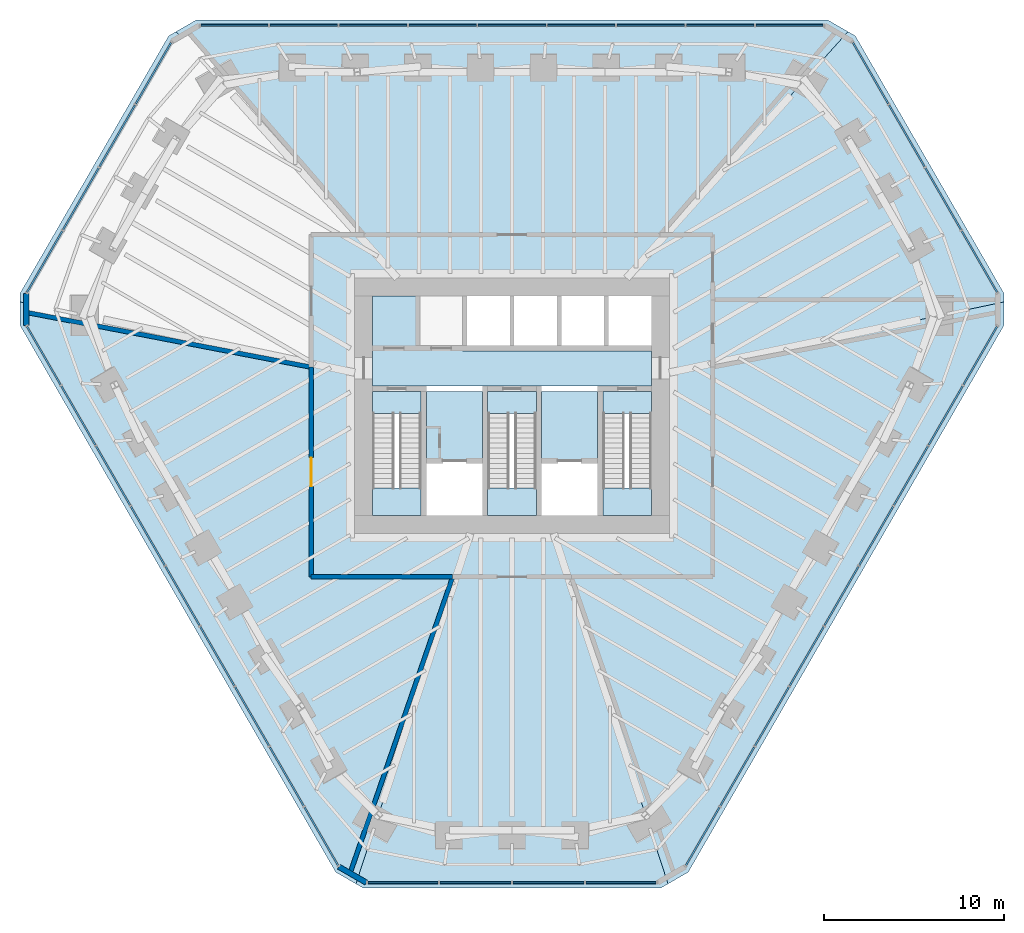
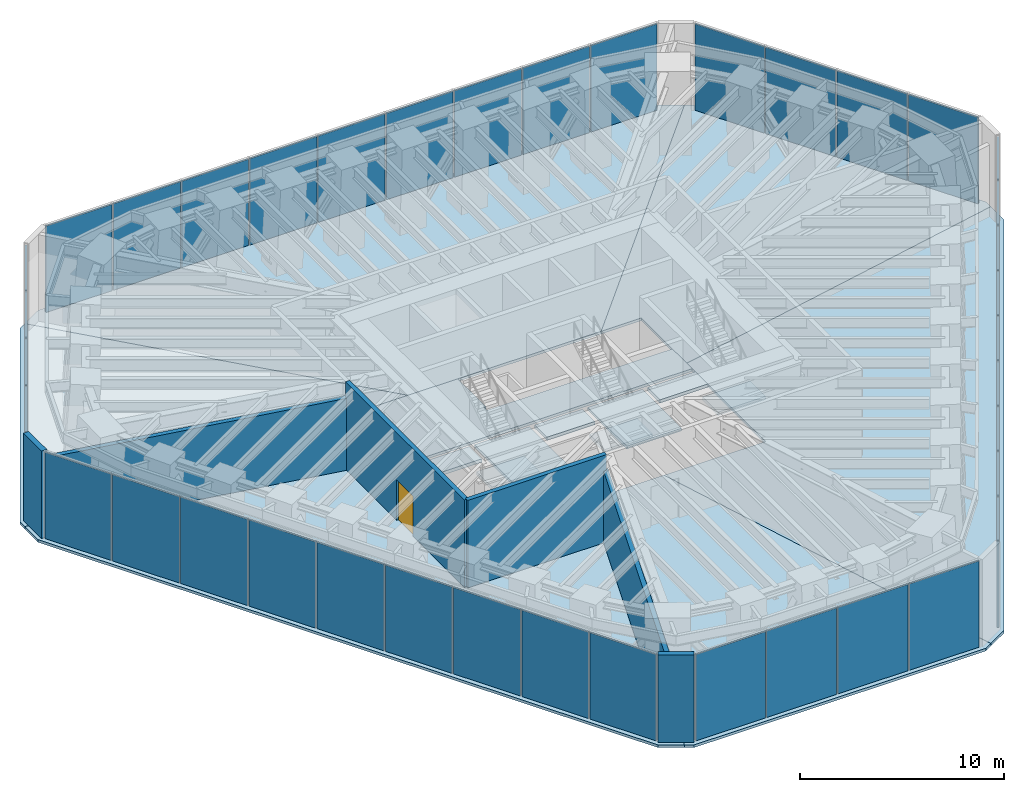
# One storey, part 10 of 13: 39 plates, 15 slabs, 6 walls, 1 door, 1 opening, 9 elements without a shape of their own.
"""IFC4 building model written with IfcOpenShell, lengths in metres."""

from ifc_helpers import new_model, si_unit, direction, frame, frame_2d, origin, origin_2d, place, context, subcontext, project, spatial, polyline, rectangle, outline, extrude, material, layer, layer_set, type_object, element, fill, aggregate, save


model = new_model("IFC4")

# Units and contexts
model_context = context("Model", 3, precision=1e-05, world=origin(), true_north=direction((0.0, 1.0)))
body_context = subcontext(model_context, "Body", "Model", "MODEL_VIEW")
ifc_project = project(units=[si_unit("LENGTHUNIT", "METRE"), si_unit("AREAUNIT", "SQUARE_METRE"), si_unit("VOLUMEUNIT", "CUBIC_METRE"), si_unit("PLANEANGLEUNIT", "RADIAN"), si_unit("MASSUNIT", "GRAM", prefix="KILO")], contexts=[model_context])

# Site, building, storey
site_placement = place(None, origin())
site = spatial("IfcSite", under=ifc_project, at=site_placement, CompositionType="ELEMENT")
building_placement = place(site_placement, origin())
building = spatial("IfcBuilding", under=site, at=building_placement, Name="Sandreach Pilgrim Tower", CompositionType="ELEMENT")
storey_placement = place(building_placement, frame((0.0, 0.0, 251.60009765625)))
storey = spatial("IfcBuildingStorey", under=building, at=storey_placement, Name="L63", CompositionType="ELEMENT", Elevation=251.60009765625)

# Curtain wall, plates
ifc_material_1 = material(Name="Aluminium framed curtain wall", Category="aluminium")
curtain_wall_type = type_object("IfcCurtainWallType", Name="Plant storey louvred curtain wall", PredefinedType="NOTDEFINED", material=ifc_material_1)
curtain_wall_1_placement = place(storey_placement, origin())
curtain_wall_1 = element("IfcCurtainWall", 1, at=curtain_wall_1_placement, inside=storey, type_object=curtain_wall_type, Name="CW-L L63 N", PredefinedType="NOTDEFINED")
ifc_material_2 = material(Name="Aluminium weather louvre blades 100 deep", Category="aluminium")
ifc_layer_1 = layer(ifc_material_2, 0.10009765625)
ifc_layer_set_1 = layer_set([ifc_layer_1], Name="CW-L panel")
plate_type = type_object("IfcPlateType", Name="CW-L panel", PredefinedType="CURTAIN_PANEL", material=ifc_layer_set_1)
plate_1_placement = place(storey_placement, frame((-15.437744140625, 21.16015625, 0.0), z_axis=(0.0, 0.0, 1.0), x_axis=(1.0, 0.0, 0.0)))
plate_1 = element("IfcPlate", 2, at=plate_1_placement, type_object=plate_type, Name="CW-L panel 1", PredefinedType="CURTAIN_PANEL", context=body_context, shape_type="SweptSolid", body=[
    extrude(rectangle(XDim=3.744384765625, YDim=0.10009765625, at=origin_2d()), origin(), (0.0, 0.0, 1.0), 5.169921875),
])
plate_2_placement = place(storey_placement, frame((-11.59326171875, 21.16015625, 0.0), z_axis=(0.0, 0.0, 1.0), x_axis=(1.0, 0.0, 0.0)))
plate_2 = element("IfcPlate", 3, at=plate_2_placement, type_object=plate_type, Name="CW-L panel 2", PredefinedType="CURTAIN_PANEL", context=body_context, shape_type="SweptSolid", body=[
    extrude(rectangle(XDim=3.784423828125, YDim=0.10009765625, at=origin_2d()), origin(), (0.0, 0.0, 1.0), 5.169921875),
])
plate_3_placement = place(storey_placement, frame((-7.728759765625, 21.16015625, 0.0), z_axis=(0.0, 0.0, 1.0), x_axis=(1.0, 0.0, 0.0)))
plate_3 = element("IfcPlate", 4, at=plate_3_placement, type_object=plate_type, Name="CW-L panel 3", PredefinedType="CURTAIN_PANEL", context=body_context, shape_type="SweptSolid", body=[
    extrude(rectangle(XDim=3.784423828125, YDim=0.10009765625, at=origin_2d()), origin(), (0.0, 0.0, 1.0), 5.169921875),
])
plate_4_placement = place(storey_placement, frame((-3.864501953125, 21.16015625, 0.0), z_axis=(0.0, 0.0, 1.0), x_axis=(1.0, 0.0, 0.0)))
plate_4 = element("IfcPlate", 5, at=plate_4_placement, type_object=plate_type, Name="CW-L panel 4", PredefinedType="CURTAIN_PANEL", context=body_context, shape_type="SweptSolid", body=[
    extrude(rectangle(XDim=3.784423828125, YDim=0.10009765625, at=origin_2d()), origin(), (0.0, 0.0, 1.0), 5.169921875),
])
plate_5_placement = place(storey_placement, frame((0.0, 21.16015625, 0.0), z_axis=(0.0, 0.0, 1.0), x_axis=(1.0, 0.0, 0.0)))
plate_5 = element("IfcPlate", 6, at=plate_5_placement, type_object=plate_type, Name="CW-L panel 5", PredefinedType="CURTAIN_PANEL", context=body_context, shape_type="SweptSolid", body=[
    extrude(rectangle(XDim=3.784423828125, YDim=0.10009765625, at=origin_2d()), origin(), (0.0, 0.0, 1.0), 5.169921875),
])
plate_6_placement = place(storey_placement, frame((3.864501953125, 21.16015625, 0.0), z_axis=(0.0, 0.0, 1.0), x_axis=(1.0, 0.0, 0.0)))
plate_6 = element("IfcPlate", 7, at=plate_6_placement, type_object=plate_type, Name="CW-L panel 6", PredefinedType="CURTAIN_PANEL", context=body_context, shape_type="SweptSolid", body=[
    extrude(rectangle(XDim=3.784423828125, YDim=0.10009765625, at=origin_2d()), origin(), (0.0, 0.0, 1.0), 5.169921875),
])
plate_7_placement = place(storey_placement, frame((7.728759765625, 21.16015625, 0.0), z_axis=(0.0, 0.0, 1.0), x_axis=(1.0, 0.0, 0.0)))
plate_7 = element("IfcPlate", 8, at=plate_7_placement, type_object=plate_type, Name="CW-L panel 7", PredefinedType="CURTAIN_PANEL", context=body_context, shape_type="SweptSolid", body=[
    extrude(rectangle(XDim=3.784423828125, YDim=0.10009765625, at=origin_2d()), origin(), (0.0, 0.0, 1.0), 5.169921875),
])
plate_8_placement = place(storey_placement, frame((11.59326171875, 21.16015625, 0.0), z_axis=(0.0, 0.0, 1.0), x_axis=(1.0, 0.0, 0.0)))
plate_8 = element("IfcPlate", 9, at=plate_8_placement, type_object=plate_type, Name="CW-L panel 8", PredefinedType="CURTAIN_PANEL", context=body_context, shape_type="SweptSolid", body=[
    extrude(rectangle(XDim=3.784423828125, YDim=0.10009765625, at=origin_2d()), origin(), (0.0, 0.0, 1.0), 5.169921875),
])
plate_9_placement = place(storey_placement, frame((15.437744140625, 21.16015625, 0.0), z_axis=(0.0, 0.0, 1.0), x_axis=(1.0, 0.0, 0.0)))
plate_9 = element("IfcPlate", 10, at=plate_9_placement, type_object=plate_type, Name="CW-L panel 9", PredefinedType="CURTAIN_PANEL", context=body_context, shape_type="SweptSolid", body=[
    extrude(rectangle(XDim=3.744384765625, YDim=0.10009765625, at=origin_2d()), origin(), (0.0, 0.0, 1.0), 5.169921875),
])
aggregate(curtain_wall_1, [plate_1, plate_2, plate_3, plate_4, plate_5, plate_6, plate_7, plate_8, plate_9])

curtain_wall_2_placement = place(storey_placement, origin())
curtain_wall_2 = element("IfcCurtainWall", 11, at=curtain_wall_2_placement, inside=storey, type_object=curtain_wall_type, Name="CW-L L63 NE", PredefinedType="NOTDEFINED")
plate_10_placement = place(storey_placement, frame((19.94482421875, 18.504638671875, 0.0), z_axis=(0.0, 0.0, 1.0), x_axis=(0.5, -0.866025403784, 0.0)))
plate_10 = element("IfcPlate", 12, at=plate_10_placement, type_object=plate_type, Name="CW-L panel 1", PredefinedType="CURTAIN_PANEL", context=body_context, shape_type="SweptSolid", body=[
    extrude(rectangle(XDim=3.9287109375, YDim=0.10009765625, at=origin_2d()), origin(), (0.0, 0.0, 1.0), 5.169921875),
])
plate_11_placement = place(storey_placement, frame((21.959228515625, 15.015625, 0.0), z_axis=(0.0, 0.0, 1.0), x_axis=(0.5, -0.866025403784, 0.0)))
plate_11 = element("IfcPlate", 13, at=plate_11_placement, type_object=plate_type, Name="CW-L panel 2", PredefinedType="CURTAIN_PANEL", context=body_context, shape_type="SweptSolid", body=[
    extrude(rectangle(XDim=3.96875, YDim=0.10009765625, at=origin_2d()), origin(), (0.0, 0.0, 1.0), 5.169921875),
])
plate_12_placement = place(storey_placement, frame((23.983642578125, 11.509521484375, 0.0), z_axis=(0.0, 0.0, 1.0), x_axis=(0.5, -0.866025403784, 0.0)))
plate_12 = element("IfcPlate", 14, at=plate_12_placement, type_object=plate_type, Name="CW-L panel 3", PredefinedType="CURTAIN_PANEL", context=body_context, shape_type="SweptSolid", body=[
    extrude(rectangle(XDim=3.96875, YDim=0.10009765625, at=origin_2d()), origin(), (0.0, 0.0, 1.0), 5.169921875),
])
plate_13_placement = place(storey_placement, frame((25.998046875, 8.0205078125, 0.0), z_axis=(0.0, 0.0, 1.0), x_axis=(0.5, -0.866025403784, 0.0)))
plate_13 = element("IfcPlate", 15, at=plate_13_placement, type_object=plate_type, Name="CW-L panel 4", PredefinedType="CURTAIN_PANEL", context=body_context, shape_type="SweptSolid", body=[
    extrude(rectangle(XDim=3.9287109375, YDim=0.10009765625, at=origin_2d()), origin(), (0.0, 0.0, 1.0), 5.169921875),
])
aggregate(curtain_wall_2, [plate_10, plate_11, plate_12, plate_13])

curtain_wall_3_placement = place(storey_placement, origin())
curtain_wall_3 = element("IfcCurtainWall", 16, at=curtain_wall_3_placement, inside=storey, type_object=curtain_wall_type, Name="CW-L L63 SE", PredefinedType="NOTDEFINED")
plate_14_placement = place(storey_placement, frame((26.0439453125, 2.789306640625, 0.0), z_axis=(0.0, 0.0, 1.0), x_axis=(-0.5, -0.866025403784, 0.0)))
plate_14 = element("IfcPlate", 17, at=plate_14_placement, type_object=plate_type, Name="CW-L panel 1", PredefinedType="CURTAIN_PANEL", context=body_context, shape_type="SweptSolid", body=[
    extrude(rectangle(XDim=3.744384765625, YDim=0.10009765625, at=origin_2d()), origin(), (0.0, 0.0, 1.0), 5.169921875),
])
plate_15_placement = place(storey_placement, frame((24.121826171875, -0.5400390625, 0.0), z_axis=(0.0, 0.0, 1.0), x_axis=(-0.5, -0.866025403784, 0.0)))
plate_15 = element("IfcPlate", 18, at=plate_15_placement, type_object=plate_type, Name="CW-L panel 2", PredefinedType="CURTAIN_PANEL", context=body_context, shape_type="SweptSolid", body=[
    extrude(rectangle(XDim=3.784423828125, YDim=0.10009765625, at=origin_2d()), origin(), (0.0, 0.0, 1.0), 5.169921875),
])
plate_16_placement = place(storey_placement, frame((22.189697265625, -3.88671875, 0.0), z_axis=(0.0, 0.0, 1.0), x_axis=(-0.5, -0.866025403784, 0.0)))
plate_16 = element("IfcPlate", 19, at=plate_16_placement, type_object=plate_type, Name="CW-L panel 3", PredefinedType="CURTAIN_PANEL", context=body_context, shape_type="SweptSolid", body=[
    extrude(rectangle(XDim=3.784423828125, YDim=0.10009765625, at=origin_2d()), origin(), (0.0, 0.0, 1.0), 5.169921875),
])
plate_17_placement = place(storey_placement, frame((20.25732421875, -7.2333984375, 0.0), z_axis=(0.0, 0.0, 1.0), x_axis=(-0.5, -0.866025403784, 0.0)))
plate_17 = element("IfcPlate", 20, at=plate_17_placement, type_object=plate_type, Name="CW-L panel 4", PredefinedType="CURTAIN_PANEL", context=body_context, shape_type="SweptSolid", body=[
    extrude(rectangle(XDim=3.784423828125, YDim=0.10009765625, at=origin_2d()), origin(), (0.0, 0.0, 1.0), 5.169921875),
])
plate_18_placement = place(storey_placement, frame((18.3251953125, -10.580078125, 0.0), z_axis=(0.0, 0.0, 1.0), x_axis=(-0.5, -0.866025403784, 0.0)))
plate_18 = element("IfcPlate", 21, at=plate_18_placement, type_object=plate_type, Name="CW-L panel 5", PredefinedType="CURTAIN_PANEL", context=body_context, shape_type="SweptSolid", body=[
    extrude(rectangle(XDim=3.784423828125, YDim=0.10009765625, at=origin_2d()), origin(), (0.0, 0.0, 1.0), 5.169921875),
])
plate_19_placement = place(storey_placement, frame((16.39306640625, -13.9267578125, 0.0), z_axis=(0.0, 0.0, 1.0), x_axis=(-0.5, -0.866025403784, 0.0)))
plate_19 = element("IfcPlate", 22, at=plate_19_placement, type_object=plate_type, Name="CW-L panel 6", PredefinedType="CURTAIN_PANEL", context=body_context, shape_type="SweptSolid", body=[
    extrude(rectangle(XDim=3.784423828125, YDim=0.10009765625, at=origin_2d()), origin(), (0.0, 0.0, 1.0), 5.169921875),
])
plate_20_placement = place(storey_placement, frame((14.460693359375, -17.2734375, 0.0), z_axis=(0.0, 0.0, 1.0), x_axis=(-0.5, -0.866025403784, 0.0)))
plate_20 = element("IfcPlate", 23, at=plate_20_placement, type_object=plate_type, Name="CW-L panel 7", PredefinedType="CURTAIN_PANEL", context=body_context, shape_type="SweptSolid", body=[
    extrude(rectangle(XDim=3.784423828125, YDim=0.10009765625, at=origin_2d()), origin(), (0.0, 0.0, 1.0), 5.169921875),
])
plate_21_placement = place(storey_placement, frame((12.528564453125, -20.6201171875, 0.0), z_axis=(0.0, 0.0, 1.0), x_axis=(-0.5, -0.866025403784, 0.0)))
plate_21 = element("IfcPlate", 24, at=plate_21_placement, type_object=plate_type, Name="CW-L panel 8", PredefinedType="CURTAIN_PANEL", context=body_context, shape_type="SweptSolid", body=[
    extrude(rectangle(XDim=3.784423828125, YDim=0.10009765625, at=origin_2d()), origin(), (0.0, 0.0, 1.0), 5.169921875),
])
plate_22_placement = place(storey_placement, frame((10.6064453125, -23.949462890625, 0.0), z_axis=(0.0, 0.0, 1.0), x_axis=(-0.5, -0.866025403784, 0.0)))
plate_22 = element("IfcPlate", 25, at=plate_22_placement, type_object=plate_type, Name="CW-L panel 9", PredefinedType="CURTAIN_PANEL", context=body_context, shape_type="SweptSolid", body=[
    extrude(rectangle(XDim=3.744384765625, YDim=0.10009765625, at=origin_2d()), origin(), (0.0, 0.0, 1.0), 5.169921875),
])
aggregate(curtain_wall_3, [plate_14, plate_15, plate_16, plate_17, plate_18, plate_19, plate_20, plate_21, plate_22])

curtain_wall_4_placement = place(storey_placement, origin())
curtain_wall_4 = element("IfcCurtainWall", 26, at=curtain_wall_4_placement, inside=storey, type_object=curtain_wall_type, Name="CW-L L63 S", PredefinedType="NOTDEFINED")
plate_23_placement = place(storey_placement, frame((6.052978515625, -26.525146484375, 0.0), z_axis=(0.0, 0.0, 1.0), x_axis=(-1.0, 0.0, 0.0)))
plate_23 = element("IfcPlate", 27, at=plate_23_placement, type_object=plate_type, Name="CW-L panel 1", PredefinedType="CURTAIN_PANEL", context=body_context, shape_type="SweptSolid", body=[
    extrude(rectangle(XDim=3.9287109375, YDim=0.10009765625, at=origin_2d()), origin(), (0.0, 0.0, 1.0), 5.169921875),
])
plate_24_placement = place(storey_placement, frame((2.0244140625, -26.525146484375, 0.0), z_axis=(0.0, 0.0, 1.0), x_axis=(-1.0, 0.0, 0.0)))
plate_24 = element("IfcPlate", 28, at=plate_24_placement, type_object=plate_type, Name="CW-L panel 2", PredefinedType="CURTAIN_PANEL", context=body_context, shape_type="SweptSolid", body=[
    extrude(rectangle(XDim=3.96875, YDim=0.10009765625, at=origin_2d()), origin(), (0.0, 0.0, 1.0), 5.169921875),
])
plate_25_placement = place(storey_placement, frame((-2.0244140625, -26.525146484375, 0.0), z_axis=(0.0, 0.0, 1.0), x_axis=(-1.0, 0.0, 0.0)))
plate_25 = element("IfcPlate", 29, at=plate_25_placement, type_object=plate_type, Name="CW-L panel 3", PredefinedType="CURTAIN_PANEL", context=body_context, shape_type="SweptSolid", body=[
    extrude(rectangle(XDim=3.96875, YDim=0.10009765625, at=origin_2d()), origin(), (0.0, 0.0, 1.0), 5.169921875),
])
plate_26_placement = place(storey_placement, frame((-6.052978515625, -26.525146484375, 0.0), z_axis=(0.0, 0.0, 1.0), x_axis=(-1.0, 0.0, 0.0)))
plate_26 = element("IfcPlate", 30, at=plate_26_placement, type_object=plate_type, Name="CW-L panel 4", PredefinedType="CURTAIN_PANEL", context=body_context, shape_type="SweptSolid", body=[
    extrude(rectangle(XDim=3.9287109375, YDim=0.10009765625, at=origin_2d()), origin(), (0.0, 0.0, 1.0), 5.169921875),
])
aggregate(curtain_wall_4, [plate_23, plate_24, plate_25, plate_26])

curtain_wall_5_placement = place(storey_placement, origin())
curtain_wall_5 = element("IfcCurtainWall", 31, at=curtain_wall_5_placement, inside=storey, type_object=curtain_wall_type, Name="CW-L L63 SW", PredefinedType="NOTDEFINED")
plate_27_placement = place(storey_placement, frame((-10.6064453125, -23.949462890625, 0.0), z_axis=(0.0, 0.0, 1.0), x_axis=(-0.5, 0.866025403784, 0.0)))
plate_27 = element("IfcPlate", 32, at=plate_27_placement, type_object=plate_type, Name="CW-L panel 1", PredefinedType="CURTAIN_PANEL", context=body_context, shape_type="SweptSolid", body=[
    extrude(rectangle(XDim=3.744384765625, YDim=0.10009765625, at=origin_2d()), origin(), (0.0, 0.0, 1.0), 5.169921875),
])
plate_28_placement = place(storey_placement, frame((-12.528564453125, -20.6201171875, 0.0), z_axis=(0.0, 0.0, 1.0), x_axis=(-0.5, 0.866025403784, 0.0)))
plate_28 = element("IfcPlate", 33, at=plate_28_placement, type_object=plate_type, Name="CW-L panel 2", PredefinedType="CURTAIN_PANEL", context=body_context, shape_type="SweptSolid", body=[
    extrude(rectangle(XDim=3.784423828125, YDim=0.10009765625, at=origin_2d()), origin(), (0.0, 0.0, 1.0), 5.169921875),
])
plate_29_placement = place(storey_placement, frame((-14.460693359375, -17.2734375, 0.0), z_axis=(0.0, 0.0, 1.0), x_axis=(-0.5, 0.866025403784, 0.0)))
plate_29 = element("IfcPlate", 34, at=plate_29_placement, type_object=plate_type, Name="CW-L panel 3", PredefinedType="CURTAIN_PANEL", context=body_context, shape_type="SweptSolid", body=[
    extrude(rectangle(XDim=3.784423828125, YDim=0.10009765625, at=origin_2d()), origin(), (0.0, 0.0, 1.0), 5.169921875),
])
plate_30_placement = place(storey_placement, frame((-16.39306640625, -13.9267578125, 0.0), z_axis=(0.0, 0.0, 1.0), x_axis=(-0.5, 0.866025403784, 0.0)))
plate_30 = element("IfcPlate", 35, at=plate_30_placement, type_object=plate_type, Name="CW-L panel 4", PredefinedType="CURTAIN_PANEL", context=body_context, shape_type="SweptSolid", body=[
    extrude(rectangle(XDim=3.784423828125, YDim=0.10009765625, at=origin_2d()), origin(), (0.0, 0.0, 1.0), 5.169921875),
])
plate_31_placement = place(storey_placement, frame((-18.3251953125, -10.580078125, 0.0), z_axis=(0.0, 0.0, 1.0), x_axis=(-0.5, 0.866025403784, 0.0)))
plate_31 = element("IfcPlate", 36, at=plate_31_placement, type_object=plate_type, Name="CW-L panel 5", PredefinedType="CURTAIN_PANEL", context=body_context, shape_type="SweptSolid", body=[
    extrude(rectangle(XDim=3.784423828125, YDim=0.10009765625, at=origin_2d()), origin(), (0.0, 0.0, 1.0), 5.169921875),
])
plate_32_placement = place(storey_placement, frame((-20.25732421875, -7.2333984375, 0.0), z_axis=(0.0, 0.0, 1.0), x_axis=(-0.5, 0.866025403784, 0.0)))
plate_32 = element("IfcPlate", 37, at=plate_32_placement, type_object=plate_type, Name="CW-L panel 6", PredefinedType="CURTAIN_PANEL", context=body_context, shape_type="SweptSolid", body=[
    extrude(rectangle(XDim=3.784423828125, YDim=0.10009765625, at=origin_2d()), origin(), (0.0, 0.0, 1.0), 5.169921875),
])
plate_33_placement = place(storey_placement, frame((-22.189697265625, -3.88671875, 0.0), z_axis=(0.0, 0.0, 1.0), x_axis=(-0.5, 0.866025403784, 0.0)))
plate_33 = element("IfcPlate", 38, at=plate_33_placement, type_object=plate_type, Name="CW-L panel 7", PredefinedType="CURTAIN_PANEL", context=body_context, shape_type="SweptSolid", body=[
    extrude(rectangle(XDim=3.784423828125, YDim=0.10009765625, at=origin_2d()), origin(), (0.0, 0.0, 1.0), 5.169921875),
])
plate_34_placement = place(storey_placement, frame((-24.121826171875, -0.5400390625, 0.0), z_axis=(0.0, 0.0, 1.0), x_axis=(-0.5, 0.866025403784, 0.0)))
plate_34 = element("IfcPlate", 39, at=plate_34_placement, type_object=plate_type, Name="CW-L panel 8", PredefinedType="CURTAIN_PANEL", context=body_context, shape_type="SweptSolid", body=[
    extrude(rectangle(XDim=3.784423828125, YDim=0.10009765625, at=origin_2d()), origin(), (0.0, 0.0, 1.0), 5.169921875),
])
plate_35_placement = place(storey_placement, frame((-26.0439453125, 2.789306640625, 0.0), z_axis=(0.0, 0.0, 1.0), x_axis=(-0.5, 0.866025403784, 0.0)))
plate_35 = element("IfcPlate", 40, at=plate_35_placement, type_object=plate_type, Name="CW-L panel 9", PredefinedType="CURTAIN_PANEL", context=body_context, shape_type="SweptSolid", body=[
    extrude(rectangle(XDim=3.744384765625, YDim=0.10009765625, at=origin_2d()), origin(), (0.0, 0.0, 1.0), 5.169921875),
])
aggregate(curtain_wall_5, [plate_27, plate_28, plate_29, plate_30, plate_31, plate_32, plate_33, plate_34, plate_35])

curtain_wall_6_placement = place(storey_placement, origin())
curtain_wall_6 = element("IfcCurtainWall", 41, at=curtain_wall_6_placement, inside=storey, type_object=curtain_wall_type, Name="CW-L L63 NW", PredefinedType="NOTDEFINED")
plate_36_placement = place(storey_placement, frame((-25.998046875, 8.0205078125, 0.0), z_axis=(0.0, 0.0, 1.0), x_axis=(0.5, 0.866025403784, 0.0)))
plate_36 = element("IfcPlate", 42, at=plate_36_placement, type_object=plate_type, Name="CW-L panel 1", PredefinedType="CURTAIN_PANEL", context=body_context, shape_type="SweptSolid", body=[
    extrude(rectangle(XDim=3.9287109375, YDim=0.10009765625, at=origin_2d()), origin(), (0.0, 0.0, 1.0), 5.169921875),
])
plate_37_placement = place(storey_placement, frame((-23.983642578125, 11.509521484375, 0.0), z_axis=(0.0, 0.0, 1.0), x_axis=(0.5, 0.866025403784, 0.0)))
plate_37 = element("IfcPlate", 43, at=plate_37_placement, type_object=plate_type, Name="CW-L panel 2", PredefinedType="CURTAIN_PANEL", context=body_context, shape_type="SweptSolid", body=[
    extrude(rectangle(XDim=3.96875, YDim=0.10009765625, at=origin_2d()), origin(), (0.0, 0.0, 1.0), 5.169921875),
])
plate_38_placement = place(storey_placement, frame((-21.959228515625, 15.015625, 0.0), z_axis=(0.0, 0.0, 1.0), x_axis=(0.5, 0.866025403784, 0.0)))
plate_38 = element("IfcPlate", 44, at=plate_38_placement, type_object=plate_type, Name="CW-L panel 3", PredefinedType="CURTAIN_PANEL", context=body_context, shape_type="SweptSolid", body=[
    extrude(rectangle(XDim=3.96875, YDim=0.10009765625, at=origin_2d()), origin(), (0.0, 0.0, 1.0), 5.169921875),
])
plate_39_placement = place(storey_placement, frame((-19.94482421875, 18.504638671875, 0.0), z_axis=(0.0, 0.0, 1.0), x_axis=(0.5, 0.866025403784, 0.0)))
plate_39 = element("IfcPlate", 45, at=plate_39_placement, type_object=plate_type, Name="CW-L panel 4", PredefinedType="CURTAIN_PANEL", context=body_context, shape_type="SweptSolid", body=[
    extrude(rectangle(XDim=3.9287109375, YDim=0.10009765625, at=origin_2d()), origin(), (0.0, 0.0, 1.0), 5.169921875),
])
aggregate(curtain_wall_6, [plate_36, plate_37, plate_38, plate_39])

# Slabs
ifc_material_3 = material(Name="Concrete 8000 psi", Category="concrete")
ifc_layer_2 = layer(ifc_material_3, 0.159912109375)
ifc_layer_set_2 = layer_set([ifc_layer_2], Name="Composite floor slab 160")
slab_type_1 = type_object("IfcSlabType", Name="Composite floor slab 160", PredefinedType="FLOOR", material=ifc_layer_set_2)
slab_1_placement = place(storey_placement, frame((0.0, 0.0, -0.16015625)))
element("IfcSlab", 46, at=slab_1_placement, inside=storey, type_object=slab_type_1, Name="Floor slab L63 N sector", PredefinedType="FLOOR", context=body_context, shape_type="SweptSolid", body=[
    extrude(outline(polyline([(-17.56298828125, 21.460205078125), (17.56298828125, 21.460205078125), (18.68701171875, 20.81103515625), (5.477294921875, 6.10009765625), (-5.477294921875, 6.10009765625), (-18.68701171875, 20.81103515625), (-17.56298828125, 21.460205078125)])), origin(), (0.0, 0.0, 1.0), 0.16015625),
])
slab_2_placement = place(storey_placement, frame((0.0, 0.0, -0.16015625)))
element("IfcSlab", 47, at=slab_2_placement, inside=storey, type_object=slab_type_1, Name="Floor slab L63 NE sector", PredefinedType="FLOOR", context=body_context, shape_type="SweptSolid", body=[
    extrude(outline(polyline([(19.095947265625, 20.5751953125), (27.366455078125, 6.25), (27.366455078125, 5.778076171875), (7.75, 1.63623046875), (7.75, 6.10009765625), (5.477294921875, 6.10009765625), (18.68701171875, 20.81103515625), (19.095947265625, 20.5751953125)])), origin(), (0.0, 0.0, 1.0), 0.16015625),
])
slab_3_placement = place(storey_placement, frame((0.0, 0.0, -0.16015625)))
element("IfcSlab", 48, at=slab_3_placement, inside=storey, type_object=slab_type_1, Name="Floor slab L63 SE sector", PredefinedType="FLOOR", context=body_context, shape_type="SweptSolid", body=[
    extrude(outline(polyline([(27.366455078125, 4.47998046875), (9.803466796875, -25.940185546875), (8.679443359375, -26.589111328125), (1.9912109375, -6.10009765625), (7.75, -6.10009765625), (7.75, 1.63623046875), (27.366455078125, 5.778076171875), (27.366455078125, 4.47998046875)])), origin(), (0.0, 0.0, 1.0), 0.16015625),
])
slab_4_placement = place(storey_placement, frame((0.0, 0.0, -0.16015625)))
element("IfcSlab", 49, at=slab_4_placement, inside=storey, type_object=slab_type_1, Name="Floor slab L63 S sector", PredefinedType="FLOOR", context=body_context, shape_type="SweptSolid", body=[
    extrude(outline(polyline([(8.2705078125, -26.8251953125), (-8.2705078125, -26.8251953125), (-8.679443359375, -26.589111328125), (-1.9912109375, -6.10009765625), (1.9912109375, -6.10009765625), (8.679443359375, -26.589111328125), (8.2705078125, -26.8251953125)])), origin(), (0.0, 0.0, 1.0), 0.16015625),
])
slab_5_placement = place(storey_placement, frame((0.0, 0.0, -0.16015625)))
element("IfcSlab", 50, at=slab_5_placement, inside=storey, type_object=slab_type_1, Name="Floor slab L63 SW sector", PredefinedType="FLOOR", context=body_context, shape_type="SweptSolid", body=[
    extrude(outline(polyline([(-9.803466796875, -25.940185546875), (-27.366455078125, 4.47998046875), (-27.366455078125, 5.778076171875), (-7.75, 1.63623046875), (-7.75, -6.10009765625), (-1.9912109375, -6.10009765625), (-8.679443359375, -26.589111328125), (-9.803466796875, -25.940185546875)])), origin(), (0.0, 0.0, 1.0), 0.16015625),
])
slab_6_placement = place(storey_placement, frame((0.0, 0.0, -0.16015625)))
element("IfcSlab", 51, at=slab_6_placement, inside=storey, type_object=slab_type_1, Name="Floor slab L63 NW sector", PredefinedType="FLOOR", context=body_context, shape_type="SweptSolid", body=[
    extrude(outline(polyline([(-27.366455078125, 6.25), (-19.095947265625, 20.5751953125), (-18.68701171875, 20.81103515625), (-5.477294921875, 6.10009765625), (-7.75, 6.10009765625), (-7.75, 1.63623046875), (-27.366455078125, 5.778076171875), (-27.366455078125, 6.25)])), origin(), (0.0, 0.0, 1.0), 0.16015625),
])
slab_7_placement = place(storey_placement, frame((0.0, 0.0, -0.16015625)))
element("IfcSlab", 52, at=slab_7_placement, inside=storey, type_object=slab_type_1, Name="Core floor slab L63", PredefinedType="FLOOR", context=body_context, shape_type="SweptSolid", body=[
    extrude(outline(polyline([(-2.75, 3.35009765625), (-2.75, 3.050048828125), (-0.125, 3.050048828125), (0.125, 3.050048828125), (2.5, 3.050048828125), (2.75, 3.050048828125), (5.125, 3.050048828125), (5.375, 3.050048828125), (7.75, 3.050048828125), (7.75, 1.10009765625), (5.050048828125, 1.10009765625), (4.75, 1.10009765625), (1.64990234375, 1.10009765625), (1.35009765625, 1.10009765625), (-1.35009765625, 1.10009765625), (-1.64990234375, 1.10009765625), (-4.75, 1.10009765625), (-5.050048828125, 1.10009765625), (-7.75, 1.10009765625), (-7.75, 6.10009765625), (-2.64990234375, 6.10009765625), (-2.64990234375, 3.35009765625), (-2.75, 3.35009765625)])), origin(), (0.0, 0.0, 1.0), 0.16015625),
])
slab_8_placement = place(storey_placement, frame((0.0, 0.0, -0.16015625)))
element("IfcSlab", 53, at=slab_8_placement, inside=storey, type_object=slab_type_1, Name="Core floor slab L63 2", PredefinedType="FLOOR", context=body_context, shape_type="SweptSolid", body=[
    extrude(outline(polyline([(-1.64990234375, -3.050048828125), (-4.75, -3.050048828125), (-4.75, 0.800048828125), (-1.64990234375, 0.800048828125), (-1.64990234375, -3.050048828125)])), origin(), (0.0, 0.0, 1.0), 0.16015625),
])
slab_9_placement = place(storey_placement, frame((0.0, 0.0, -0.16015625)))
element("IfcSlab", 54, at=slab_9_placement, inside=storey, type_object=slab_type_1, Name="Core floor slab L63 3", PredefinedType="FLOOR", context=body_context, shape_type="SweptSolid", body=[
    extrude(outline(polyline([(4.75, -3.050048828125), (1.64990234375, -3.050048828125), (1.64990234375, 0.800048828125), (4.75, 0.800048828125), (4.75, -3.050048828125)])), origin(), (0.0, 0.0, 1.0), 0.16015625),
])

# Stair, slabs
ifc_material_4 = material(Name="Concrete 8000 psi", Category="concrete")
stair_type = type_object("IfcStairType", Name="Core exit stair", PredefinedType="HALF_TURN_STAIR", material=ifc_material_4)
stair_1_placement = place(storey_placement, origin())
stair_1 = element("IfcStair", 55, at=stair_1_placement, inside=storey, type_object=stair_type, Name="Exit stair ST1 L63", PredefinedType="HALF_TURN_STAIR")
ifc_material_5 = material(Name="Concrete 8000 psi", Category="concrete")
ifc_layer_3 = layer(ifc_material_5, 0.199951171875)
ifc_layer_set_3 = layer_set([ifc_layer_3], Name="Core stair landing 200")
slab_type_2 = type_object("IfcSlabType", Name="Core stair landing 200", PredefinedType="LANDING", material=ifc_layer_set_3)
slab_10_placement = place(storey_placement, frame((0.0, 0.0, -0.2001953125)))
slab_10 = element("IfcSlab", 56, at=slab_10_placement, type_object=slab_type_2, Name="ST1 landing 1", PredefinedType="LANDING", context=body_context, shape_type="SweptSolid", body=[
    extrude(outline(polyline([(-7.75, -0.425048828125), (-5.050048828125, -0.425048828125), (-5.050048828125, 0.800048828125), (-7.75, 0.800048828125), (-7.75, -0.425048828125)])), origin(), (0.0, 0.0, 1.0), 0.2001953125),
])
slab_11_placement = place(storey_placement, frame((0.0, 0.0, 2.5)))
slab_11 = element("IfcSlab", 57, at=slab_11_placement, type_object=slab_type_2, Name="ST1 landing 2", PredefinedType="LANDING", context=body_context, shape_type="SweptSolid", body=[
    extrude(outline(polyline([(-7.75, -6.10009765625), (-5.050048828125, -6.10009765625), (-5.050048828125, -4.574951171875), (-7.75, -4.574951171875), (-7.75, -6.10009765625)])), origin(), (0.0, 0.0, 1.0), 0.199951171875),
])
aggregate(stair_1, [slab_10, slab_11])

stair_2_placement = place(storey_placement, origin())
stair_2 = element("IfcStair", 58, at=stair_2_placement, inside=storey, type_object=stair_type, Name="Exit stair ST3 L63", PredefinedType="HALF_TURN_STAIR")
slab_12_placement = place(storey_placement, frame((0.0, 0.0, -0.2001953125)))
slab_12 = element("IfcSlab", 59, at=slab_12_placement, type_object=slab_type_2, Name="ST3 landing 1", PredefinedType="LANDING", context=body_context, shape_type="SweptSolid", body=[
    extrude(outline(polyline([(-1.35009765625, -0.425048828125), (1.35009765625, -0.425048828125), (1.35009765625, 0.800048828125), (-1.35009765625, 0.800048828125), (-1.35009765625, -0.425048828125)])), origin(), (0.0, 0.0, 1.0), 0.2001953125),
])
slab_13_placement = place(storey_placement, frame((0.0, 0.0, 2.5)))
slab_13 = element("IfcSlab", 60, at=slab_13_placement, type_object=slab_type_2, Name="ST3 landing 2", PredefinedType="LANDING", context=body_context, shape_type="SweptSolid", body=[
    extrude(outline(polyline([(-1.35009765625, -6.10009765625), (1.35009765625, -6.10009765625), (1.35009765625, -4.574951171875), (-1.35009765625, -4.574951171875), (-1.35009765625, -6.10009765625)])), origin(), (0.0, 0.0, 1.0), 0.199951171875),
])
aggregate(stair_2, [slab_12, slab_13])

stair_3_placement = place(storey_placement, origin())
stair_3 = element("IfcStair", 61, at=stair_3_placement, inside=storey, type_object=stair_type, Name="Exit stair ST2 L63", PredefinedType="HALF_TURN_STAIR")
slab_14_placement = place(storey_placement, frame((0.0, 0.0, -0.2001953125)))
slab_14 = element("IfcSlab", 62, at=slab_14_placement, type_object=slab_type_2, Name="ST2 landing 1", PredefinedType="LANDING", context=body_context, shape_type="SweptSolid", body=[
    extrude(outline(polyline([(5.050048828125, -0.425048828125), (7.75, -0.425048828125), (7.75, 0.800048828125), (5.050048828125, 0.800048828125), (5.050048828125, -0.425048828125)])), origin(), (0.0, 0.0, 1.0), 0.2001953125),
])
slab_15_placement = place(storey_placement, frame((0.0, 0.0, 2.5)))
slab_15 = element("IfcSlab", 63, at=slab_15_placement, type_object=slab_type_2, Name="ST2 landing 2", PredefinedType="LANDING", context=body_context, shape_type="SweptSolid", body=[
    extrude(outline(polyline([(5.050048828125, -6.10009765625), (7.75, -6.10009765625), (7.75, -4.574951171875), (5.050048828125, -4.574951171875), (5.050048828125, -6.10009765625)])), origin(), (0.0, 0.0, 1.0), 0.199951171875),
])
aggregate(stair_3, [slab_14, slab_15])

# Walls
ifc_material_6 = material(Name="Acoustic gypsum board wall, double frame", Category="gypsum")
ifc_layer_4 = layer(ifc_material_6, 0.25)
ifc_layer_set_4 = layer_set([ifc_layer_4], Name="Hall partition 250")
wall_type_1 = type_object("IfcWallType", Name="Hall partition 250", PredefinedType="PARTITIONING", material=ifc_layer_set_4)
wall_1_placement = place(storey_placement, frame((-27.04052734375, 5.204345703125, 0.0), z_axis=(0.0, 0.0, 1.0), x_axis=(0.98197885356, -0.188990822953, 0.0)))
element("IfcWall", 64, at=wall_1_placement, inside=storey, type_object=wall_type_1, Name="Hall partition L63-001", PredefinedType="PARTITIONING", context=body_context, shape_type="SweptSolid", body=[
    extrude(rectangle(XDim=16.161865234375, YDim=0.25, at=frame_2d((8.0810546875, 0.0))), origin(), (0.0, 0.0, 1.0), 4.312744140625),
])
wall_2_placement = place(storey_placement, frame((-11.169921875, -9.52001953125, 0.0), z_axis=(0.0, 0.0, 1.0), x_axis=(1.0, 0.0, 0.0)))
element("IfcWall", 65, at=wall_2_placement, inside=storey, type_object=wall_type_1, Name="Hall partition L63-002", PredefinedType="PARTITIONING", context=body_context, shape_type="SweptSolid", body=[
    extrude(rectangle(XDim=7.869873046875, YDim=0.25, at=frame_2d((3.93505859375, 0.0))), origin(), (0.0, 0.0, 1.0), 5.239990234375),
])

# Wall, opening, door
wall_3_placement = place(storey_placement, frame((-11.169921875, 2.14990234375, 0.0), z_axis=(0.0, 0.0, 1.0), x_axis=(0.0, -1.0, 0.0)))
wall_3 = element("IfcWall", 66, at=wall_3_placement, inside=storey, type_object=wall_type_1, Name="Hall partition L63-003", PredefinedType="PARTITIONING", context=body_context, shape_type="SweptSolid", body=[
    extrude(rectangle(XDim=11.669921875, YDim=0.25, at=frame_2d((5.8349609375, 0.0))), origin(), (0.0, 0.0, 1.0), 5.239990234375),
])
opening_placement = place(wall_3_placement, frame((5.034912109375, 0.0, 0.0)))
opening = element("IfcOpeningElement", 67, at=opening_placement, cuts=wall_3, Name="Opening D16-05", PredefinedType="OPENING", context=body_context, shape_type="SweptSolid", body=[
    extrude(rectangle(XDim=1.60009765625, YDim=2.39990234375, at=frame_2d((0.800048828125, 1.199951171875))), frame((0.0, 0.125, 0.0), z_axis=(0.0, -1.0, 0.0), x_axis=(1.0, 0.0, 0.0)), (0.0, 0.0, 1.0), 0.25),
])
ifc_material_7 = material(Name="Steel door and frame", Category="steel")
door_type = type_object("IfcDoorType", Name="Hall double door", OperationType="DOUBLE_DOOR_SINGLE_SWING", PredefinedType="DOOR", material=ifc_material_7)
door_placement = place(opening_placement, origin())
door = element("IfcDoor", 68, at=door_placement, inside=storey, type_object=door_type, Name="Door 6305", OperationType="DOUBLE_DOOR_SINGLE_SWING", OverallHeight=2.39990234375, OverallWidth=1.60009765625, PredefinedType="DOOR", context=body_context, shape_type="SweptSolid", body=[
    extrude(rectangle(XDim=1.60009765625, YDim=2.39990234375, at=frame_2d((0.800048828125, 1.199951171875))), frame((0.0, 0.02490234375, 0.0), z_axis=(0.0, -1.0, 0.0), x_axis=(1.0, 0.0, 0.0)), (0.0, 0.0, 1.0), 0.050048828125),
])
fill(opening, door)

# Walls
wall_4_placement = place(storey_placement, frame((-9.01025390625, -26.01171875, 0.0), z_axis=(0.0, 0.0, 1.0), x_axis=(0.327189359592, 0.944958794324, 0.0)))
element("IfcWall", 69, at=wall_4_placement, inside=storey, type_object=wall_type_1, Name="Hall partition L63-005", PredefinedType="PARTITIONING", context=body_context, shape_type="SweptSolid", body=[
    extrude(rectangle(XDim=17.452392578125, YDim=0.25, at=frame_2d((8.72607421875, 0.0))), origin(), (0.0, 0.0, 1.0), 4.302734375),
])
ifc_material_8 = material(Name="Terracotta rainscreen on concrete", Category="masonry")
ifc_layer_5 = layer(ifc_material_8, 0.300048828125)
ifc_layer_set_5 = layer_set([ifc_layer_5], Name="Terracotta chamfer pier")
wall_type_2 = type_object("IfcWallType", Name="Terracotta chamfer pier", PredefinedType="SOLIDWALL", material=ifc_layer_set_5)
for number, where, z_axis, x_axis, name in (
    (70, (-8.097412109375, -26.525146484375, 0.0), (0.0, 0.0, 1.0), (-0.866036293601, 0.499981137809, 0.0), "Chamfer pier L63 S"),
    (71, (-27.02001953125, 4.47998046875, 0.0), (0.0, 0.0, 1.0), (0.0, 1.0, 0.0), "Chamfer pier L63 SW"),
):
    element("IfcWall", number, at=place(storey_placement, frame(where, z_axis=z_axis, x_axis=x_axis)), inside=storey, type_object=wall_type_2, Name=name, PredefinedType="SOLIDWALL", context=body_context, shape_type="SweptSolid", body=[
        extrude(rectangle(XDim=1.77001953125, YDim=0.300048828125, at=frame_2d((0.885009765625, 0.0))), origin(), (0.0, 0.0, 1.0), 5.239990234375),
    ])

save(model, "model.ifc")
